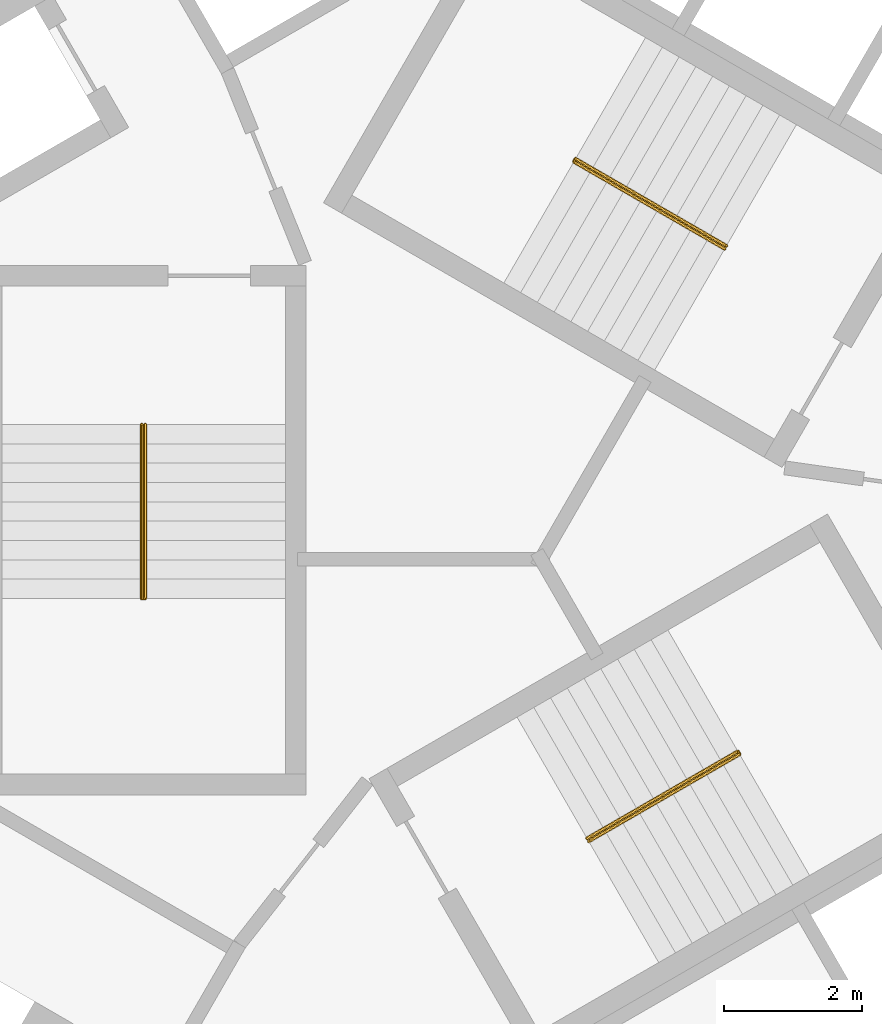
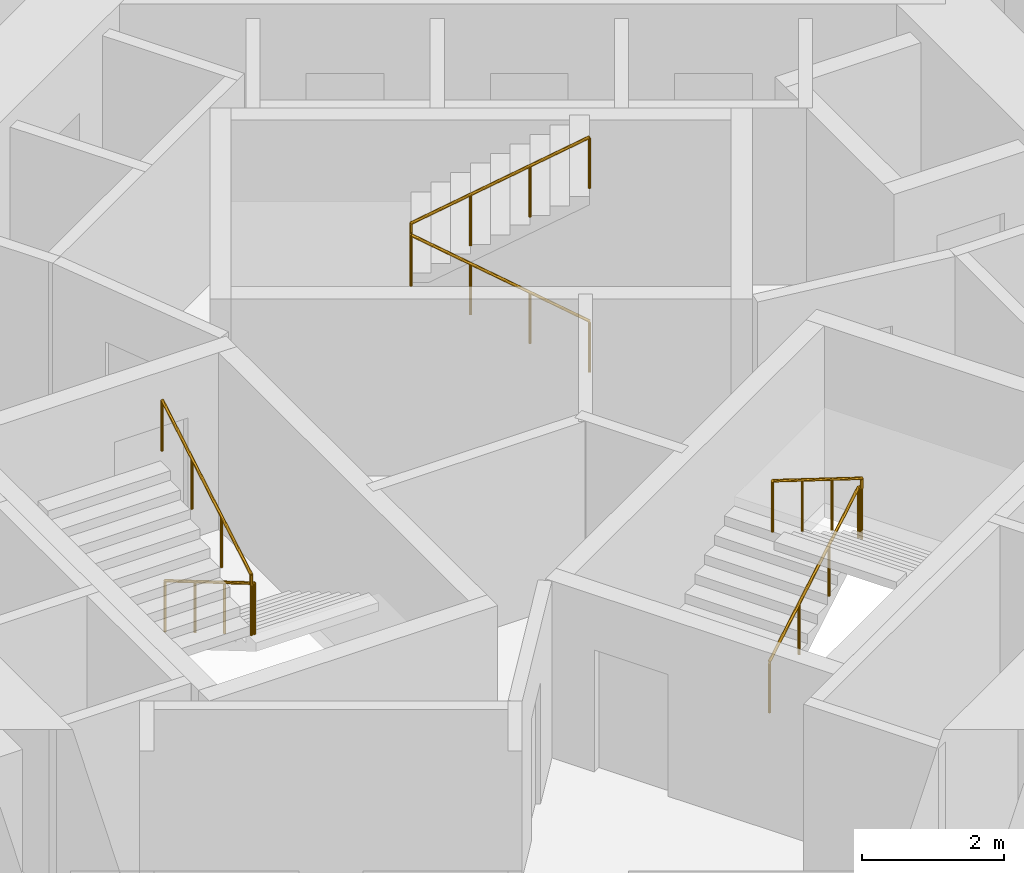
# One storey, part 12 of 12: 3 railings.
"""IFC4 building model written with IfcOpenShell, lengths in metres."""

from ifc_helpers import new_model, si_unit, direction, frame, origin, origin_2d, place, context, subcontext, project, spatial, circle, extrude, material, type_object, element, save


model = new_model("IFC4")

# Units and contexts
model_context = context("Model", 3, precision=1e-05, world=origin(), true_north=direction((0.0, 1.0)))
body_context = subcontext(model_context, "Body", "Model", "MODEL_VIEW")
ifc_project = project(units=[si_unit("LENGTHUNIT", "METRE"), si_unit("AREAUNIT", "SQUARE_METRE"), si_unit("VOLUMEUNIT", "CUBIC_METRE"), si_unit("PLANEANGLEUNIT", "RADIAN"), si_unit("MASSUNIT", "GRAM", prefix="KILO")], contexts=[model_context])

# Site, building, storey
site_placement = place(None, origin())
site = spatial("IfcSite", under=ifc_project, at=site_placement, CompositionType="ELEMENT")
building_placement = place(site_placement, origin())
building = spatial("IfcBuilding", under=site, at=building_placement, Name="Vanh Sen Convention Tower", CompositionType="ELEMENT")
storey_placement = place(building_placement, frame((0.0, 0.0, 63.800048828125)))
storey = spatial("IfcBuildingStorey", under=building, at=storey_placement, Name="L13", CompositionType="ELEMENT", Elevation=63.800048828125)

# Railings
ifc_material = material(Name="Stainless steel handrail", Category="steel")
railing_type = type_object("IfcRailingType", Name="Stair handrail 900", PredefinedType="HANDRAIL", material=ifc_material)
railing_1_placement = place(storey_placement, frame((3.45849609375, 3.690185546875, 0.1650390625)))
element("IfcRailing", 1, at=railing_1_placement, inside=storey, type_object=railing_type, Name="Stair handrail ST1 L13", PredefinedType="HANDRAIL", context=body_context, shape_type="SweptSolid", body=[
    extrude(circle(Radius=0.02392578125, at=origin_2d()), frame((0.0, 0.0, 0.8759765625), z_axis=(-0.746166161147, 0.430756550076, 0.507626688154), x_axis=(-0.499962843328, -0.866046855136, 0.0)), (0.0, 0.0, 1.0), 2.925048828125),
    extrude(circle(Radius=0.02392578125, at=origin_2d()), frame((-2.1826171875, 1.260009765625, 2.36083984375), z_axis=(0.502959906984, 0.86430974307, 0.0), x_axis=(-0.86430974307, 0.502959906984, 0.0)), (0.0, 0.0, 1.0), 0.050048828125),
    extrude(circle(Radius=0.02392578125, at=origin_2d()), frame((-2.157470703125, 1.30322265625, 2.36083984375), z_axis=(0.0, 0.0, 1.0), x_axis=(1.0, 0.0, 0.0)), (0.0, 0.0, 1.0), 0.1650390625),
    extrude(circle(Radius=0.02392578125, at=origin_2d()), frame((-2.157470703125, 1.30322265625, 2.52587890625), z_axis=(0.746097546679, -0.430765123438, 0.507720256902), x_axis=(0.500004791531, 0.866022637375, 0.0)), (0.0, 0.0, 1.0), 2.925048828125),
    extrude(circle(Radius=0.02099609375, at=origin_2d()), origin(), (0.0, 0.0, 1.0), 0.851806640625),
    extrude(circle(Radius=0.02099609375, at=origin_2d()), frame((-0.7275390625, 0.419921875, 0.494873046875)), (0.0, 0.0, 1.0), 0.851806640625),
    extrude(circle(Radius=0.02099609375, at=origin_2d()), frame((-1.455078125, 0.840087890625, 0.989990234375)), (0.0, 0.0, 1.0), 0.851806640625),
    extrude(circle(Radius=0.02099609375, at=origin_2d()), frame((-2.1826171875, 1.260009765625, 1.48486328125)), (0.0, 0.0, 1.0), 0.851806640625),
    extrude(circle(Radius=0.02099609375, at=origin_2d()), frame((-2.157470703125, 1.30322265625, 1.48486328125)), (0.0, 0.0, 1.0), 0.851806640625),
    extrude(circle(Radius=0.02099609375, at=origin_2d()), frame((-2.157470703125, 1.30322265625, 1.64990234375)), (0.0, 0.0, 1.0), 0.851806640625),
    extrude(circle(Radius=0.02099609375, at=origin_2d()), frame((-1.429931640625, 0.88330078125, 2.14501953125)), (0.0, 0.0, 1.0), 0.851806640625),
    extrude(circle(Radius=0.02099609375, at=origin_2d()), frame((-0.70263671875, 0.463134765625, 2.639892578125)), (0.0, 0.0, 1.0), 0.851806640625),
    extrude(circle(Radius=0.02099609375, at=origin_2d()), frame((0.02490234375, 0.043212890625, 3.135009765625)), (0.0, 0.0, 1.0), 0.851806640625),
])
railing_2_placement = place(storey_placement, frame((-4.925048828125, 1.14990234375, 0.1650390625)))
element("IfcRailing", 2, at=railing_2_placement, inside=storey, type_object=railing_type, Name="Stair handrail ST2 L13", PredefinedType="HANDRAIL", context=body_context, shape_type="SweptSolid", body=[
    extrude(circle(Radius=0.02392578125, at=origin_2d()), frame((0.0, 0.0, 0.8759765625), z_axis=(0.0, -0.861560626758, 0.507654692109), x_axis=(1.0, 0.0, 0.0)), (0.0, 0.0, 1.0), 2.925048828125),
    extrude(circle(Radius=0.02392578125, at=origin_2d()), frame((0.0, -2.52001953125, 2.36083984375), z_axis=(-1.0, 0.0, 0.0), x_axis=(0.0, -1.0, 0.0)), (0.0, 0.0, 1.0), 0.050048828125),
    extrude(circle(Radius=0.02392578125, at=origin_2d()), frame((-0.050048828125, -2.52001953125, 2.36083984375), z_axis=(0.0, 0.0, 1.0), x_axis=(1.0, 0.0, 0.0)), (0.0, 0.0, 1.0), 0.1650390625),
    extrude(circle(Radius=0.02392578125, at=origin_2d()), frame((-0.050048828125, -2.52001953125, 2.52587890625), z_axis=(0.0, 0.86152411907, 0.507716645641), x_axis=(-1.0, 0.0, 0.0)), (0.0, 0.0, 1.0), 2.925048828125),
    extrude(circle(Radius=0.02099609375, at=origin_2d()), origin(), (0.0, 0.0, 1.0), 0.851806640625),
    extrude(circle(Radius=0.02099609375, at=origin_2d()), frame((0.0, -0.840087890625, 0.494873046875)), (0.0, 0.0, 1.0), 0.851806640625),
    extrude(circle(Radius=0.02099609375, at=origin_2d()), frame((0.0, -1.679931640625, 0.989990234375)), (0.0, 0.0, 1.0), 0.851806640625),
    extrude(circle(Radius=0.02099609375, at=origin_2d()), frame((0.0, -2.52001953125, 1.48486328125)), (0.0, 0.0, 1.0), 0.851806640625),
    extrude(circle(Radius=0.02099609375, at=origin_2d()), frame((-0.050048828125, -2.52001953125, 1.48486328125)), (0.0, 0.0, 1.0), 0.851806640625),
    extrude(circle(Radius=0.02099609375, at=origin_2d()), frame((-0.050048828125, -2.52001953125, 1.64990234375)), (0.0, 0.0, 1.0), 0.851806640625),
    extrude(circle(Radius=0.02099609375, at=origin_2d()), frame((-0.050048828125, -1.679931640625, 2.14501953125)), (0.0, 0.0, 1.0), 0.851806640625),
    extrude(circle(Radius=0.02099609375, at=origin_2d()), frame((-0.050048828125, -0.840087890625, 2.639892578125)), (0.0, 0.0, 1.0), 0.851806640625),
    extrude(circle(Radius=0.02099609375, at=origin_2d()), frame((-0.050048828125, 0.0, 3.135009765625)), (0.0, 0.0, 1.0), 0.851806640625),
])
railing_3_placement = place(storey_placement, frame((1.466552734375, -4.840087890625, 0.1650390625)))
element("IfcRailing", 3, at=railing_3_placement, inside=storey, type_object=railing_type, Name="Stair handrail ST3 L13", PredefinedType="HANDRAIL", context=body_context, shape_type="SweptSolid", body=[
    extrude(circle(Radius=0.02392578125, at=origin_2d()), frame((0.0, 0.0, 0.8759765625), z_axis=(0.746129163535, 0.430783377672, 0.507658303235), x_axis=(-0.500004791531, 0.866022637375, 0.0)), (0.0, 0.0, 1.0), 2.9248046875),
    extrude(circle(Radius=0.02392578125, at=origin_2d()), frame((2.182373046875, 1.260009765625, 2.36083984375), z_axis=(0.500844580232, -0.86553723574, 0.0), x_axis=(0.86553723574, 0.500844580232, 0.0)), (0.0, 0.0, 1.0), 0.05029296875),
    extrude(circle(Radius=0.02392578125, at=origin_2d()), frame((2.20751953125, 1.216552734375, 2.36083984375), z_axis=(0.0, 0.0, 1.0), x_axis=(1.0, 0.0, 0.0)), (0.0, 0.0, 1.0), 0.1650390625),
    extrude(circle(Radius=0.02392578125, at=origin_2d()), frame((2.20751953125, 1.216552734375, 2.52587890625), z_axis=(-0.746097546679, -0.430765123438, 0.507720256902), x_axis=(0.500004791531, -0.866022637375, 0.0)), (0.0, 0.0, 1.0), 2.925048828125),
    extrude(circle(Radius=0.02099609375, at=origin_2d()), origin(), (0.0, 0.0, 1.0), 0.851806640625),
    extrude(circle(Radius=0.02099609375, at=origin_2d()), frame((0.7275390625, 0.419921875, 0.494873046875)), (0.0, 0.0, 1.0), 0.851806640625),
    extrude(circle(Radius=0.02099609375, at=origin_2d()), frame((1.454833984375, 0.840087890625, 0.989990234375)), (0.0, 0.0, 1.0), 0.851806640625),
    extrude(circle(Radius=0.02099609375, at=origin_2d()), frame((2.182373046875, 1.260009765625, 1.48486328125)), (0.0, 0.0, 1.0), 0.851806640625),
    extrude(circle(Radius=0.02099609375, at=origin_2d()), frame((2.20751953125, 1.216552734375, 1.48486328125)), (0.0, 0.0, 1.0), 0.851806640625),
    extrude(circle(Radius=0.02099609375, at=origin_2d()), frame((2.20751953125, 1.216552734375, 1.64990234375)), (0.0, 0.0, 1.0), 0.851806640625),
    extrude(circle(Radius=0.02099609375, at=origin_2d()), frame((1.47998046875, 0.796630859375, 2.14501953125)), (0.0, 0.0, 1.0), 0.851806640625),
    extrude(circle(Radius=0.02099609375, at=origin_2d()), frame((0.752685546875, 0.37646484375, 2.639892578125)), (0.0, 0.0, 1.0), 0.851806640625),
    extrude(circle(Radius=0.02099609375, at=origin_2d()), frame((0.025146484375, -0.04345703125, 3.135009765625)), (0.0, 0.0, 1.0), 0.851806640625),
])

save(model, "model.ifc")
